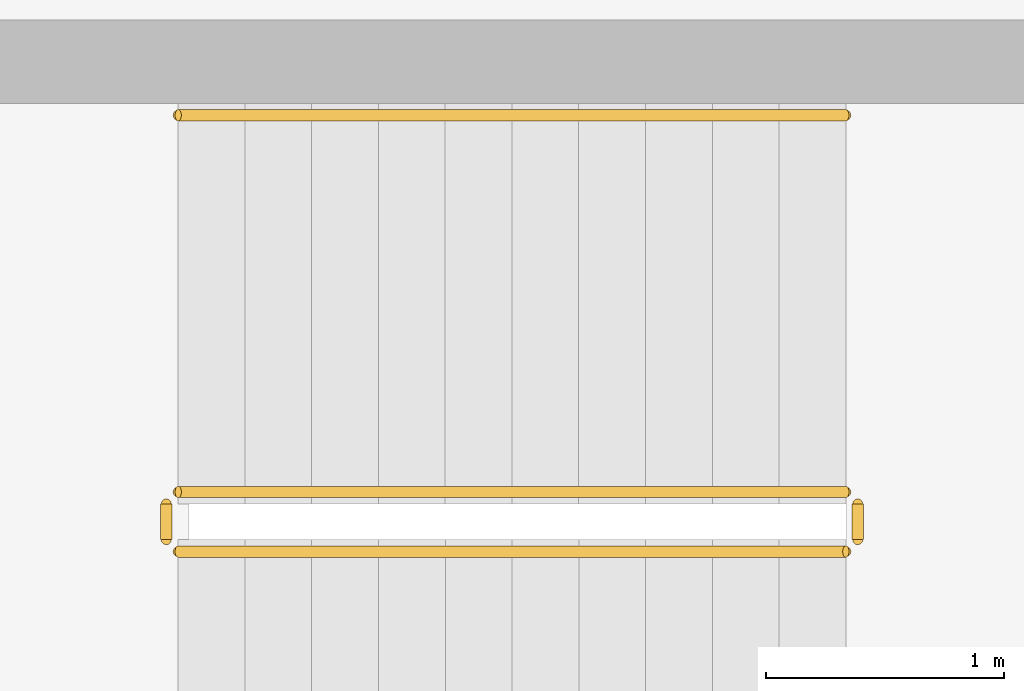
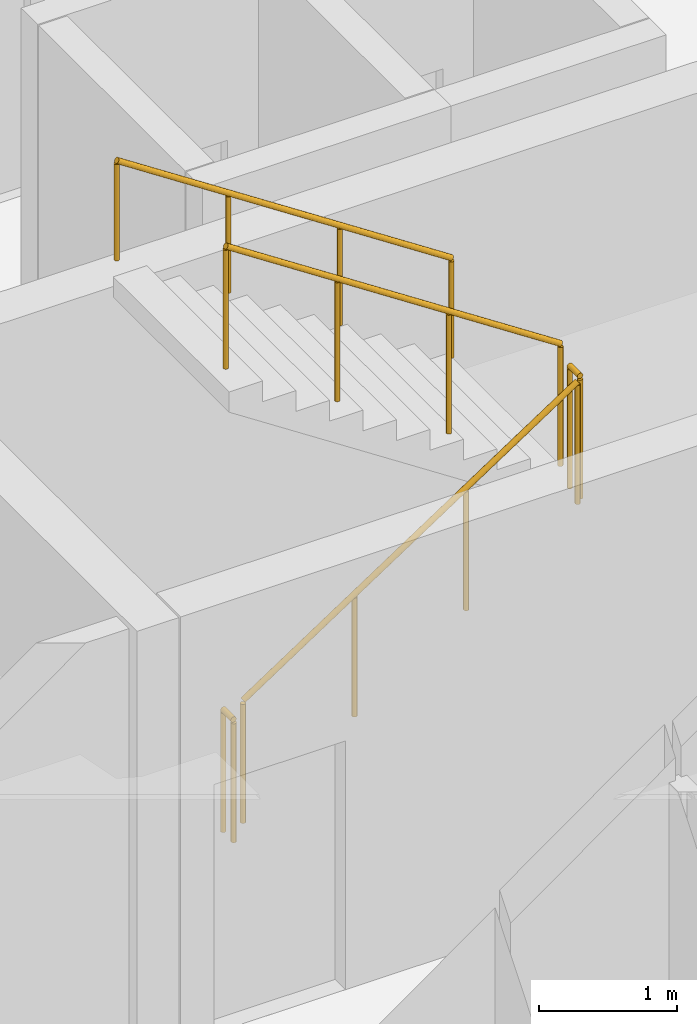
# One storey, part 34 of 38: 5 railings.
"""IFC4 building model written with IfcOpenShell, lengths in metres."""

from ifc_helpers import new_model, si_unit, direction, frame, origin, origin_2d, place, context, subcontext, project, spatial, circle, extrude, material, type_object, element, save


model = new_model("IFC4")

# Units and contexts
model_context = context("Model", 3, precision=1e-05, world=origin(), true_north=direction((0.0, 1.0)))
body_context = subcontext(model_context, "Body", "Model", "MODEL_VIEW")
ifc_project = project(units=[si_unit("LENGTHUNIT", "METRE"), si_unit("AREAUNIT", "SQUARE_METRE"), si_unit("VOLUMEUNIT", "CUBIC_METRE"), si_unit("PLANEANGLEUNIT", "RADIAN"), si_unit("MASSUNIT", "GRAM", prefix="KILO")], contexts=[model_context])

# Site, building, storey
site_placement = place(None, origin())
site = spatial("IfcSite", under=ifc_project, at=site_placement, CompositionType="ELEMENT")
building_placement = place(site_placement, origin())
building = spatial("IfcBuilding", under=site, at=building_placement, Name="Qorvath Tower", CompositionType="ELEMENT")
storey_placement = place(building_placement, frame((0.0, 0.0, 146.25)))
storey = spatial("IfcBuildingStorey", under=building, at=storey_placement, Name="L33", CompositionType="ELEMENT", Elevation=146.25)

# Railings
ifc_material_1 = material(Name="Painted galvanised steel", Category="steel")
railing_type_1 = type_object("IfcRailingType", Name="RL-STR-GRD", PredefinedType="GUARDRAIL", material=ifc_material_1)
railing_1_placement = place(storey_placement, frame((-22.669921875, -6.570068359375, 0.18408203125)))
element("IfcRailing", 1, at=railing_1_placement, inside=storey, type_object=railing_type_1, Name="L33 TS2 stair guard 1", PredefinedType="GUARDRAIL", context=body_context, shape_type="SweptSolid", body=[
    extrude(circle(Radius=0.02392578125, at=origin_2d()), frame((0.0, 0.0, 1.076171875), z_axis=(0.835575518608, 0.0, 0.549375602573), x_axis=(0.0, 1.0, 0.0)), (0.0, 0.0, 1.0), 3.350830078125),
    extrude(circle(Radius=0.02099609375, at=origin_2d()), origin(), (0.0, 0.0, 1.0), 1.052001953125),
    extrude(circle(Radius=0.02099609375, at=origin_2d()), frame((0.933349609375, 0.0, 0.613525390625)), (0.0, 0.0, 1.0), 1.052001953125),
    extrude(circle(Radius=0.02099609375, at=origin_2d()), frame((1.866455078125, 0.0, 1.227294921875)), (0.0, 0.0, 1.0), 1.052001953125),
    extrude(circle(Radius=0.02099609375, at=origin_2d()), frame((2.7998046875, 0.0, 1.8408203125)), (0.0, 0.0, 1.0), 1.052001953125),
])
railing_2_placement = place(storey_placement, frame((-19.820068359375, -6.52001953125, 2.02490234375)))
element("IfcRailing", 2, at=railing_2_placement, inside=storey, type_object=railing_type_1, Name="L33 TS2 stair guard 2", PredefinedType="GUARDRAIL", context=body_context, shape_type="SweptSolid", body=[
    extrude(circle(Radius=0.02392578125, at=origin_2d()), frame((0.0, 0.0, 1.076171875), z_axis=(0.0, 1.0, 0.0), x_axis=(-1.0, 0.0, 0.0)), (0.0, 0.0, 1.0), 0.14990234375),
    extrude(circle(Radius=0.02099609375, at=origin_2d()), origin(), (0.0, 0.0, 1.0), 1.052001953125),
    extrude(circle(Radius=0.02099609375, at=origin_2d()), frame((0.0, 0.14990234375, 0.0)), (0.0, 0.0, 1.0), 1.052001953125),
])
railing_3_placement = place(storey_placement, frame((-19.8701171875, -6.320068359375, 2.208984375)))
element("IfcRailing", 3, at=railing_3_placement, inside=storey, type_object=railing_type_1, Name="L33 TS2 stair guard 3", PredefinedType="GUARDRAIL", context=body_context, shape_type="SweptSolid", body=[
    extrude(circle(Radius=0.02392578125, at=origin_2d()), frame((0.0, 0.0, 1.076171875), z_axis=(-0.835542071712, 0.0, 0.549426470421), x_axis=(0.0, -1.0, 0.0)), (0.0, 0.0, 1.0), 3.350830078125),
    extrude(circle(Radius=0.02099609375, at=origin_2d()), origin(), (0.0, 0.0, 1.0), 1.052001953125),
    extrude(circle(Radius=0.02099609375, at=origin_2d()), frame((-0.933349609375, 0.0, 0.61376953125)), (0.0, 0.0, 1.0), 1.052001953125),
    extrude(circle(Radius=0.02099609375, at=origin_2d()), frame((-1.866455078125, 0.0, 1.227294921875)), (0.0, 0.0, 1.0), 1.052001953125),
    extrude(circle(Radius=0.02099609375, at=origin_2d()), frame((-2.7998046875, 0.0, 1.841064453125)), (0.0, 0.0, 1.0), 1.052001953125),
])
railing_4_placement = place(storey_placement, frame((-22.719970703125, -6.52001953125, 0.0)))
element("IfcRailing", 4, at=railing_4_placement, inside=storey, type_object=railing_type_1, Name="L33 TS2 stair guard 4", PredefinedType="GUARDRAIL", context=body_context, shape_type="SweptSolid", body=[
    extrude(circle(Radius=0.02392578125, at=origin_2d()), frame((0.0, 0.0, 1.076171875), z_axis=(0.0, 1.0, 0.0), x_axis=(-1.0, 0.0, 0.0)), (0.0, 0.0, 1.0), 0.14990234375),
    extrude(circle(Radius=0.02099609375, at=origin_2d()), origin(), (0.0, 0.0, 1.0), 1.052001953125),
    extrude(circle(Radius=0.02099609375, at=origin_2d()), frame((0.0, 0.14990234375, 0.0)), (0.0, 0.0, 1.0), 1.052001953125),
])
ifc_material_2 = material(Name="Brushed stainless steel AISI 304", Category="steel")
railing_type_2 = type_object("IfcRailingType", Name="RL-STR-HND", PredefinedType="HANDRAIL", material=ifc_material_2)
railing_5_placement = place(storey_placement, frame((-19.8701171875, -4.739990234375, 2.208984375)))
element("IfcRailing", 5, at=railing_5_placement, inside=storey, type_object=railing_type_2, Name="L33 TS2 stair handrail 2", PredefinedType="HANDRAIL", context=body_context, shape_type="SweptSolid", body=[
    extrude(circle(Radius=0.02392578125, at=origin_2d()), frame((0.0, 0.0, 0.8759765625), z_axis=(-0.835542071712, 0.0, 0.549426470421), x_axis=(0.0, -1.0, 0.0)), (0.0, 0.0, 1.0), 3.350830078125),
    extrude(circle(Radius=0.02099609375, at=origin_2d()), origin(), (0.0, 0.0, 1.0), 0.851806640625),
    extrude(circle(Radius=0.02099609375, at=origin_2d()), frame((-0.933349609375, 0.0, 0.61376953125)), (0.0, 0.0, 1.0), 0.851806640625),
    extrude(circle(Radius=0.02099609375, at=origin_2d()), frame((-1.866455078125, 0.0, 1.227294921875)), (0.0, 0.0, 1.0), 0.851806640625),
    extrude(circle(Radius=0.02099609375, at=origin_2d()), frame((-2.7998046875, 0.0, 1.841064453125)), (0.0, 0.0, 1.0), 0.851806640625),
])

save(model, "model.ifc")
